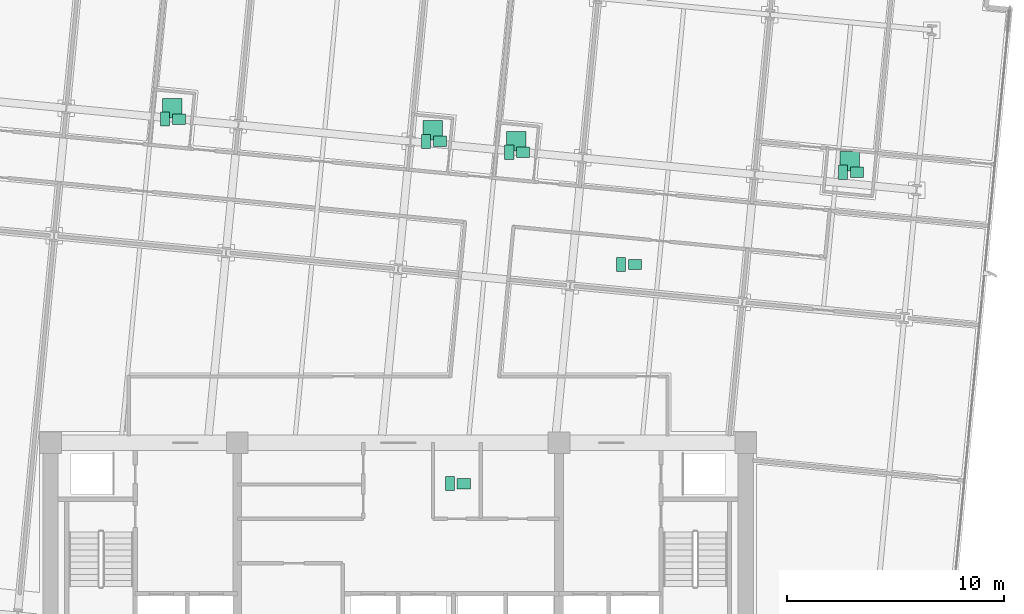
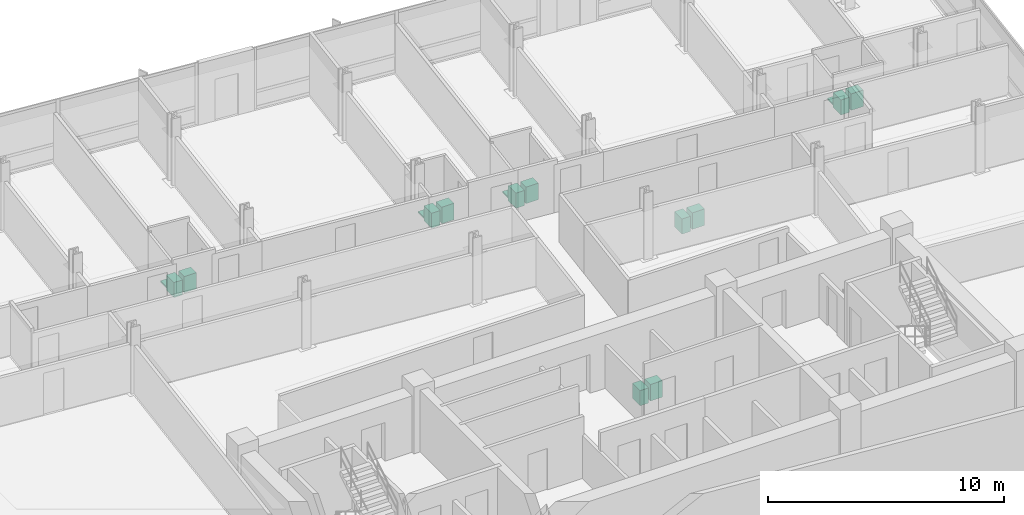
# One storey, part 17 of 17: 16 sanitary terminals.
"""IFC4 building model written with IfcOpenShell, lengths in metres."""

from ifc_helpers import new_model, si_unit, direction, frame, origin, origin_2d, place, context, subcontext, project, spatial, rectangle, extrude, material, type_object, element, save


model = new_model("IFC4")

# Units and contexts
model_context = context("Model", 3, precision=1e-05, world=origin(), true_north=direction((0.0, 1.0)))
body_context = subcontext(model_context, "Body", "Model", "MODEL_VIEW")
ifc_project = project(units=[si_unit("LENGTHUNIT", "METRE"), si_unit("AREAUNIT", "SQUARE_METRE"), si_unit("VOLUMEUNIT", "CUBIC_METRE"), si_unit("PLANEANGLEUNIT", "RADIAN"), si_unit("MASSUNIT", "GRAM", prefix="KILO")], contexts=[model_context])

# Site, building, storey
site_placement = place(None, origin())
site = spatial("IfcSite", under=ifc_project, at=site_placement, CompositionType="ELEMENT")
building_placement = place(site_placement, origin())
building = spatial("IfcBuilding", under=site, at=building_placement, Name="Solmavex Isthmus Hotel", CompositionType="ELEMENT")
storey_placement = place(building_placement, frame((0.0, 0.0, 173.85009765625)))
storey = spatial("IfcBuildingStorey", under=building, at=storey_placement, Name="L47", CompositionType="ELEMENT", Elevation=173.85009765625)

# Sanitary terminals
ifc_material = material(Name="Vitreous china ceramic", Category="ceramic")
sanitary_terminal_type_1 = type_object("IfcSanitaryTerminalType", Name="SAN-BASIN", PredefinedType="WASHHANDBASIN", material=ifc_material)
for number, where, z_axis, x_axis, name in (
    (1, (3.02001953125, -4.385009765625, -0.000244140625), (0.0, 0.0, 1.0), (1.0, 0.0, 0.0), "Vanity Washbasin L47-218"),
    (2, (-10.083984375, 12.394287109375, -0.000244140625), (0.0, 0.0, 1.0), (1.0, 0.0, 0.0), "Vanity Washbasin L47-219"),
    (3, (1.9189453125, 11.37109375, -0.000244140625), (0.0, 0.0, 1.0), (1.0, 0.0, 0.0), "Vanity Washbasin L47-220"),
    (4, (5.7548828125, 10.869384765625, -0.000244140625), (0.0, 0.0, 1.0), (1.0, 0.0, 0.0), "Vanity Washbasin L47-221"),
    (5, (21.115234375, 9.94775390625, -0.000244140625), (0.0, 0.0, 1.0), (1.0, 0.0, 0.0), "Vanity Washbasin L47-222"),
    (6, (10.895263671875, 5.702880859375, -0.000244140625), (0.0, 0.0, 1.0), (1.0, 0.0, 0.0), "Vanity Washbasin L47-223"),
):
    element("IfcSanitaryTerminal", number, at=place(storey_placement, frame(where, z_axis=z_axis, x_axis=x_axis)), inside=storey, type_object=sanitary_terminal_type_1, Name=name, PredefinedType="WASHHANDBASIN", context=body_context, shape_type="SweptSolid", body=[
        extrude(rectangle(XDim=0.60009765625, YDim=0.47998046875, at=origin_2d()), origin(), (0.0, 0.0, 1.0), 0.85009765625),
    ])
sanitary_terminal_type_2 = type_object("IfcSanitaryTerminalType", Name="SAN-SHOWER", PredefinedType="SHOWER", material=ifc_material)
for number, where, z_axis, x_axis, name in (
    (7, (-10.404052734375, 12.894287109375, -0.000244140625), (0.0, 0.0, 1.0), (1.0, 0.0, 0.0), "Walk-In Shower L47-219"),
    (8, (1.59912109375, 11.87109375, -0.000244140625), (0.0, 0.0, 1.0), (1.0, 0.0, 0.0), "Walk-In Shower L47-220"),
    (9, (5.434814453125, 11.369384765625, -0.000244140625), (0.0, 0.0, 1.0), (1.0, 0.0, 0.0), "Walk-In Shower L47-221"),
    (10, (20.795166015625, 10.44775390625, -0.000244140625), (0.0, 0.0, 1.0), (1.0, 0.0, 0.0), "Walk-In Shower L47-222"),
):
    element("IfcSanitaryTerminal", number, at=place(storey_placement, frame(where, z_axis=z_axis, x_axis=x_axis)), inside=storey, type_object=sanitary_terminal_type_2, Name=name, PredefinedType="SHOWER", context=body_context, shape_type="SweptSolid", body=[
        extrude(rectangle(XDim=0.89990234375, YDim=0.89990234375, at=origin_2d()), origin(), (0.0, 0.0, 1.0), 0.080078125),
    ])
sanitary_terminal_type_3 = type_object("IfcSanitaryTerminalType", Name="SAN-WC-SUITE", PredefinedType="TOILETPAN", material=ifc_material)
for number, where, z_axis, x_axis, name in (
    (11, (2.3798828125, -4.385009765625, 0.0), (0.0, 0.0, 1.0), (1.0, 0.0, 0.0), "Water Closet L47-218"),
    (12, (-10.72412109375, 12.394287109375, 0.0), (0.0, 0.0, 1.0), (1.0, 0.0, 0.0), "Water Closet L47-219"),
    (13, (1.279052734375, 11.37109375, 0.0), (0.0, 0.0, 1.0), (1.0, 0.0, 0.0), "Water Closet L47-220"),
    (14, (5.11474609375, 10.869384765625, 0.0), (0.0, 0.0, 1.0), (1.0, 0.0, 0.0), "Water Closet L47-221"),
    (15, (20.47509765625, 9.94775390625, 0.0), (0.0, 0.0, 1.0), (1.0, 0.0, 0.0), "Water Closet L47-222"),
    (16, (10.25537109375, 5.702880859375, 0.0), (0.0, 0.0, 1.0), (1.0, 0.0, 0.0), "Water Closet L47-223"),
):
    element("IfcSanitaryTerminal", number, at=place(storey_placement, frame(where, z_axis=z_axis, x_axis=x_axis)), inside=storey, type_object=sanitary_terminal_type_3, Name=name, PredefinedType="TOILETPAN", context=body_context, shape_type="SweptSolid", body=[
        extrude(rectangle(XDim=0.419921875, YDim=0.64990234375, at=origin_2d()), origin(), (0.0, 0.0, 1.0), 0.780029296875),
    ])

save(model, "model.ifc")
